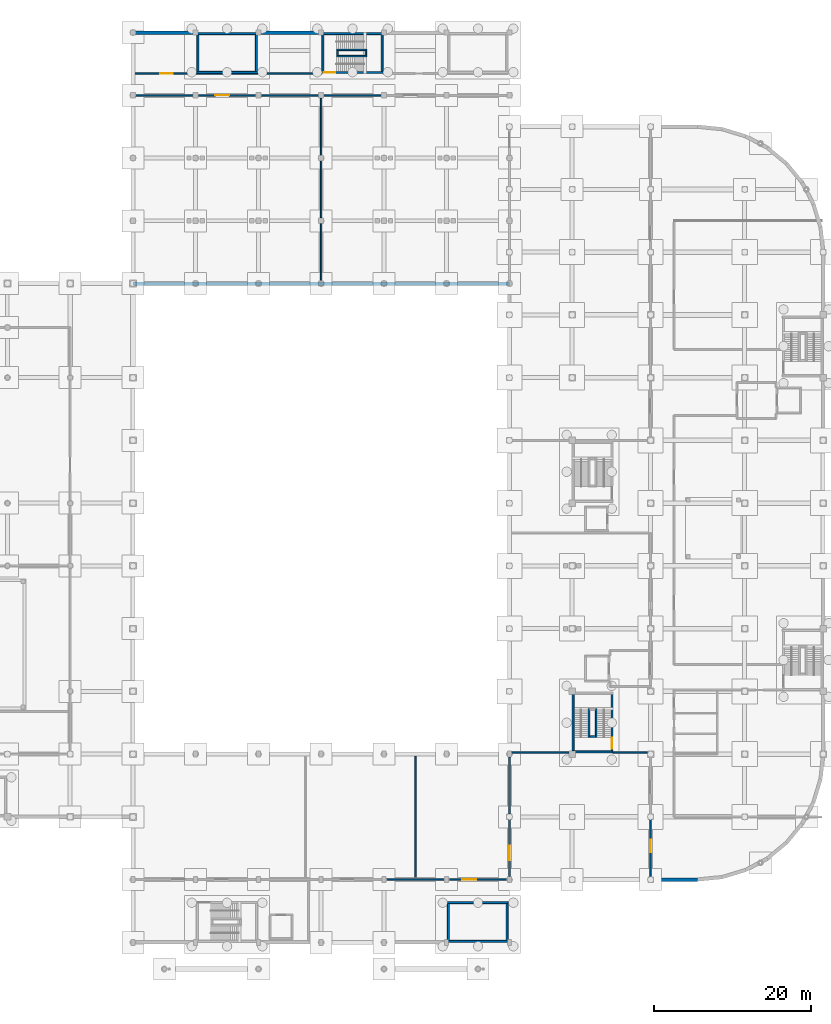
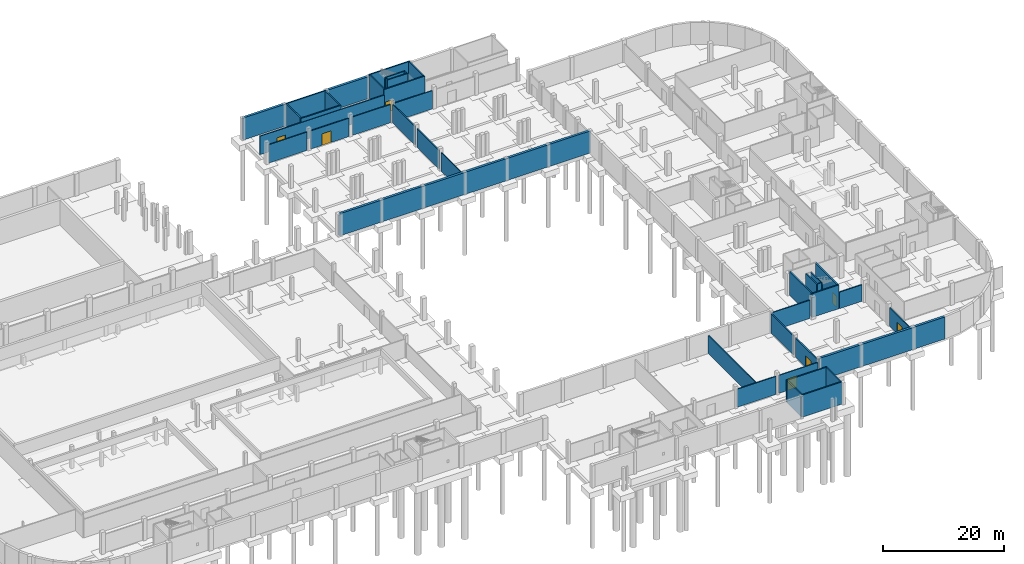
# One storey, part 24 of 29: 42 walls, 7 doors, 7 openings.
"""IFC4 building model written with IfcOpenShell, lengths in metres."""

import ifcopenshell
import ifcopenshell.guid

model = None  # the IFC model being written
_history = None  # IfcOwnerHistory: only IFC2X3 demands one
_inside = {}  # id of a spatial element -> (the spatial element, [elements in it])
_under = {}  # id of a project, library or spatial element -> (it, [spatial elements below it])
_declared = {}  # id of a project -> (the project, [libraries it declares])
_typed = {}  # id of a type object -> (the type object, [elements of that type])
_made_of = {}  # id of a material, layer set ... -> (it, [elements and type objects made of it])


def new_model(schema):
    """Start an empty IFC model of exactly this schema.

    Asked for "IFC4X3", IfcOpenShell would pick the latest addendum, in which some entities
    have other attributes; the version numbers below select the first issue.
    IFC2X3 requires an IfcOwnerHistory on every rooted entity: one is made here for all.
    """
    global model, _history
    if schema == "IFC4X3":
        model = ifcopenshell.file(schema_version=(4, 3, 0, 0))
    else:
        model = ifcopenshell.file(schema=schema)
    _inside.clear()
    _under.clear()
    _declared.clear()
    _typed.clear()
    _made_of.clear()
    _history = None
    if model.schema == "IFC2X3":
        org = make("IfcOrganization", Name="unknown")
        user = make(
            "IfcPersonAndOrganization",
            ThePerson=make("IfcPerson", FamilyName="unknown"),
            TheOrganization=org,
        )
        app = make(
            "IfcApplication",
            ApplicationDeveloper=org,
            Version="unknown",
            ApplicationFullName="unknown",
            ApplicationIdentifier="unknown",
        )
        _history = make(
            "IfcOwnerHistory",
            OwningUser=user,
            OwningApplication=app,
            ChangeAction="ADDED",
            CreationDate=0,
        )
    return model


def make(cls, **values):
    """One entity of the class cls with the attributes given. An attribute that is None is left unset."""
    return model.create_entity(
        cls, **{name: value for name, value in values.items() if value is not None}
    )


def rooted(cls, **values):
    """An entity with a GlobalId (a new one), such as an element, a storey or a relation."""
    return make(cls, GlobalId=ifcopenshell.guid.new(), OwnerHistory=_history, **values)


def si_unit(unit_type, name, prefix=None):
    """IfcSIUnit, for example si_unit("LENGTHUNIT", "METRE", prefix="MILLI")."""
    return make("IfcSIUnit", UnitType=unit_type, Prefix=prefix, Name=name)


def assignment(units):
    """IfcUnitAssignment: the units of a project."""
    return None if units is None else make("IfcUnitAssignment", Units=units)


def point(xyz):
    """IfcCartesianPoint."""
    return None if xyz is None else make("IfcCartesianPoint", Coordinates=xyz)


def direction(xyz):
    """IfcDirection."""
    return None if xyz is None else make("IfcDirection", DirectionRatios=xyz)


def frame(location, z_axis=None, x_axis=None):
    """IfcAxis2Placement3D, a coordinate frame: its origin and axes. An axis left out is left unset."""
    return make(
        "IfcAxis2Placement3D",
        Location=point(location),
        Axis=direction(z_axis),
        RefDirection=direction(x_axis),
    )


def frame_2d(location, x_axis=None):
    """IfcAxis2Placement2D, a coordinate frame in the plane: its origin and x axis."""
    return make(
        "IfcAxis2Placement2D", Location=point(location), RefDirection=direction(x_axis)
    )


def origin():
    """The frame at (0, 0, 0) with its axes left unset."""
    return frame((0.0, 0.0, 0.0))


def place(relative_to, where):
    """IfcLocalPlacement: puts the frame where relative to a parent placement (None: the world)."""
    return make(
        "IfcLocalPlacement", PlacementRelTo=relative_to, RelativePlacement=where
    )


def context(
    kind, dimensions, precision=None, world=None, true_north=None, identifier=None
):
    """IfcGeometricRepresentationContext, for example the 3D "Model" context."""
    return make(
        "IfcGeometricRepresentationContext",
        ContextIdentifier=identifier,
        ContextType=kind,
        CoordinateSpaceDimension=dimensions,
        Precision=precision,
        WorldCoordinateSystem=world,
        TrueNorth=true_north,
    )


def subcontext(parent, identifier, kind, view, scale=None):
    """IfcGeometricRepresentationSubContext, for example "Body" below "Model"."""
    return make(
        "IfcGeometricRepresentationSubContext",
        ContextIdentifier=identifier,
        ContextType=kind,
        ParentContext=parent,
        TargetScale=scale,
        TargetView=view,
    )


def project(units=None, contexts=None):
    """IfcProject with its units and contexts."""
    return rooted(
        "IfcProject",
        Name="project",
        RepresentationContexts=contexts,
        UnitsInContext=assignment(units),
    )


def spatial(cls, under=None, at=None, **own):
    """A site, building, storey or space (cls), placed at a placement, below another one or the project."""
    s = rooted(cls, ObjectPlacement=at, **own)
    if under is not None:
        _under.setdefault(under.id(), (under, []))[1].append(s)
    return s


def profile(cls, at=None, kind="AREA", **sizes):
    """A parametric profile (cls). Its sizes go by their IFC names, for example OverallWidth=200.0."""
    return make(cls, ProfileType=kind, Position=at, **sizes)


def rectangle(**sizes):
    """IfcRectangleProfileDef."""
    return profile("IfcRectangleProfileDef", **sizes)


def extrude(swept, where, along, depth):
    """IfcExtrudedAreaSolid: the profile swept, set in the frame where, extruded along a direction by depth."""
    return make(
        "IfcExtrudedAreaSolid",
        SweptArea=swept,
        Position=where,
        ExtrudedDirection=direction(along),
        Depth=depth,
    )


def shape(context_of_items, identifier, shape_type, items):
    """IfcShapeRepresentation: the items that make up one representation, for example the "Body"."""
    return make(
        "IfcShapeRepresentation",
        ContextOfItems=context_of_items,
        RepresentationIdentifier=identifier,
        RepresentationType=shape_type,
        Items=items,
    )


def material(Name=None, Category=None):
    """IfcMaterial."""
    return make("IfcMaterial", Name=Name, Category=Category)


def layer(
    of_material, thickness, ventilated=None, Name=None, Category=None, Priority=None
):
    """IfcMaterialLayer: one layer of a wall or slab, of a material (None: an air gap)."""
    return make(
        "IfcMaterialLayer",
        Material=of_material,
        LayerThickness=thickness,
        IsVentilated=ventilated,
        Name=Name,
        Category=Category,
        Priority=Priority,
    )


def layer_set(layers, Name=None):
    """IfcMaterialLayerSet."""
    return make("IfcMaterialLayerSet", MaterialLayers=layers, LayerSetName=Name)


def made_of(thing, what):
    """Note that an element or type object is made of a material, layer set ...; save() writes the relation."""
    if what is not None:
        _made_of.setdefault(what.id(), (what, []))[1].append(thing)
    return thing


def type_object(cls, material=None, **own):
    """A type object (cls), such as IfcWallType, which elements share."""
    return made_of(rooted(cls, **own), material)


def element(
    cls,
    number,
    at=None,
    inside=None,
    cuts=None,
    type_object=None,
    material=None,
    context=None,
    identifier="Body",
    shape_type=None,
    held_by="IfcProductDefinitionShape",
    body=None,
    shapes=None,
    **own,
):
    """One element of the class cls, such as IfcWall. Its Tag is "e" and its number.

    at: its placement. inside: the storey or other place that contains it. cuts: it is an
    opening in that element (IfcRelVoidsElement). A single representation is given by context,
    identifier, shape_type and body (its items); several are given by shapes. held_by: the class
    of the entity that holds the representations. save() writes the other relations.
    """
    e = rooted(cls, Tag="e%d" % number, ObjectPlacement=at, **own)
    if body is not None:
        shapes = [shape(context, identifier, shape_type, body)]
    if shapes is not None:
        e.Representation = make(held_by, Representations=shapes)
    if inside is not None:
        _inside.setdefault(inside.id(), (inside, []))[1].append(e)
    if cuts is not None:
        rooted(
            "IfcRelVoidsElement", RelatingBuildingElement=cuts, RelatedOpeningElement=e
        )
    if type_object is not None:
        _typed.setdefault(type_object.id(), (type_object, []))[1].append(e)
    return made_of(e, material)


def fill(opening, filler):
    """IfcRelFillsElement: the door or window that sits in an opening."""
    return rooted(
        "IfcRelFillsElement",
        RelatingOpeningElement=opening,
        RelatedBuildingElement=filler,
    )


def aggregate(whole, parts):
    """IfcRelAggregates: a whole, such as a stair, and the parts it consists of."""
    return rooted("IfcRelAggregates", RelatingObject=whole, RelatedObjects=parts)


def save(model, path):
    """Write the relations noted so far, then the file.

    IfcRelAggregates (storeys below a building ...), IfcRelContainedInSpatialStructure (elements
    in a storey), IfcRelDefinesByType, IfcRelAssociatesMaterial and IfcRelDeclares: one each for
    every whole, place, type object, material and project.
    """
    for whole, parts in _under.values():
        aggregate(whole, parts)
    for where, things in _inside.values():
        rooted(
            "IfcRelContainedInSpatialStructure",
            RelatedElements=things,
            RelatingStructure=where,
        )
    for kind, things in _typed.values():
        rooted("IfcRelDefinesByType", RelatedObjects=things, RelatingType=kind)
    for what, things in _made_of.values():
        rooted("IfcRelAssociatesMaterial", RelatedObjects=things, RelatingMaterial=what)
    for by, libraries in _declared.values():
        rooted("IfcRelDeclares", RelatingContext=by, RelatedDefinitions=libraries)
    model.write(path)


model = new_model("IFC4")

# Units and contexts
model_context = context("Model", 3, precision=1e-05, world=origin(), true_north=direction((0.0, 1.0)))
body_context = subcontext(model_context, "Body", "Model", "MODEL_VIEW")
ifc_project = project(units=[si_unit("LENGTHUNIT", "METRE"), si_unit("AREAUNIT", "SQUARE_METRE"), si_unit("VOLUMEUNIT", "CUBIC_METRE"), si_unit("PLANEANGLEUNIT", "RADIAN"), si_unit("MASSUNIT", "GRAM", prefix="KILO")], contexts=[model_context])

# Site, building, storey
site_placement = place(None, origin())
site = spatial("IfcSite", under=ifc_project, at=site_placement, CompositionType="ELEMENT")
building_placement = place(site_placement, origin())
building = spatial("IfcBuilding", under=site, at=building_placement, Name="Drelvana Railside Aquatics Centre", CompositionType="ELEMENT")
storey_placement = place(building_placement, frame((0.0, 0.0, -4.800048828125)))
storey = spatial("IfcBuildingStorey", under=building, at=storey_placement, Name="B1", CompositionType="ELEMENT", Elevation=-4.800048828125)

# Wall
ifc_material_1 = material(Name="Concrete blockwork compartment wall", Category="masonry")
ifc_layer_1 = layer(ifc_material_1, 0.18505859375, Name="Concrete blockwork compartment wall")
ifc_layer_set_1 = layer_set([ifc_layer_1], Name="Concrete blockwork compartment wall")
wall_type_1 = type_object("IfcWallType", Name="WL-COMP-185", PredefinedType="STANDARD", material=ifc_layer_set_1)
wall_1_placement = place(storey_placement, frame((128.251953125, 8.0, 0.0), z_axis=(0.0, 0.0, 1.0), x_axis=(1.0, 0.0, 0.0)))
element("IfcWall", 1, at=wall_1_placement, inside=storey, type_object=wall_type_1, Name="B1 Electrical plant S corridor wall", PredefinedType="STANDARD", context=body_context, shape_type="SweptSolid", body=[
    extrude(rectangle(XDim=7.49609375, YDim=0.18505859375, at=frame_2d((3.748046875, 0.0))), origin(), (0.0, 0.0, 1.0), 3.650146484375),
])

# Wall, opening, door
wall_2_placement = place(storey_placement, frame((136.251953125, 8.0, 0.0), z_axis=(0.0, 0.0, 1.0), x_axis=(1.0, 0.0, 0.0)))
wall_2 = element("IfcWall", 2, at=wall_2_placement, inside=storey, type_object=wall_type_1, Name="B1 Electrical plant S corridor wall", PredefinedType="STANDARD", context=body_context, shape_type="SweptSolid", body=[
    extrude(rectangle(XDim=7.49609375, YDim=0.18505859375, at=frame_2d((3.748046875, 0.0))), origin(), (0.0, 0.0, 1.0), 3.650146484375),
])
opening_1_placement = place(wall_2_placement, frame((1.748046875, 0.0, 0.0)))
opening_1 = element("IfcOpeningElement", 3, at=opening_1_placement, cuts=wall_2, Name="Opening D-15-117", PredefinedType="OPENING", context=body_context, shape_type="SweptSolid", body=[
    extrude(rectangle(XDim=1.75, YDim=2.35009765625, at=frame_2d((0.875, 1.175048828125))), frame((0.0, 0.1025390625, 0.0), z_axis=(0.0, -1.0, 0.0), x_axis=(1.0, 0.0, 0.0)), (0.0, 0.0, 1.0), 0.205078125),
])
ifc_material_2 = material(Name="Heavy plant hall double door", Category="wood")
door_type_1 = type_object("IfcDoorType", Name="DR-INT-PLANT-1750x2350", OperationType="DOUBLE_DOOR_SINGLE_SWING", PredefinedType="DOOR", material=ifc_material_2)
door_1_placement = place(opening_1_placement, origin())
door_1 = element("IfcDoor", 4, at=door_1_placement, inside=storey, type_object=door_type_1, Name="Standby generator hall door D-15-117", OperationType="DOUBLE_DOOR_SINGLE_SWING", OverallHeight=2.35009765625, OverallWidth=1.75, PredefinedType="DOOR", context=body_context, shape_type="SweptSolid", body=[
    extrude(rectangle(XDim=1.75, YDim=2.35009765625, at=frame_2d((0.875, 1.175048828125))), frame((0.0, 0.02490234375, 0.0), z_axis=(0.0, -1.0, 0.0), x_axis=(1.0, 0.0, 0.0)), (0.0, 0.0, 1.0), 0.050048828125),
])
fill(opening_1, door_1)

# Walls
wall_3_placement = place(storey_placement, frame((132.0, 8.0, 0.0), z_axis=(0.0, 0.0, 1.0), x_axis=(0.0, 1.0, 0.0)))
element("IfcWall", 5, at=wall_3_placement, inside=storey, type_object=wall_type_1, Name="B1 Transformer-Generator divider", PredefinedType="STANDARD", context=body_context, shape_type="SweptSolid", body=[
    extrude(rectangle(XDim=15.780029296875, YDim=0.18505859375, at=frame_2d((7.89013671875, 0.0))), origin(), (0.0, 0.0, 1.0), 3.650146484375),
])
wall_4_placement = place(storey_placement, frame((96.326904296875, 108.0, 0.0), z_axis=(0.0, 0.0, 1.0), x_axis=(1.0, 0.0, 0.0)))
element("IfcWall", 6, at=wall_4_placement, inside=storey, type_object=wall_type_1, Name="B1 North plant corridor S wall", PredefinedType="STANDARD", context=body_context, shape_type="SweptSolid", body=[
    extrude(rectangle(XDim=7.34619140625, YDim=0.18505859375, at=frame_2d((3.673095703125, 0.0))), origin(), (0.0, 0.0, 1.0), 3.699951171875),
])

# Wall, opening, door
wall_5_placement = place(storey_placement, frame((104.326904296875, 108.0, 0.0), z_axis=(0.0, 0.0, 1.0), x_axis=(1.0, 0.0, 0.0)))
wall_5 = element("IfcWall", 7, at=wall_5_placement, inside=storey, type_object=wall_type_1, Name="B1 North plant corridor S wall", PredefinedType="STANDARD", context=body_context, shape_type="SweptSolid", body=[
    extrude(rectangle(XDim=7.34619140625, YDim=0.18505859375, at=frame_2d((3.673095703125, 0.0))), origin(), (0.0, 0.0, 1.0), 3.699951171875),
])
opening_2_placement = place(wall_5_placement, frame((2.173095703125, 0.0, 0.0)))
opening_2 = element("IfcOpeningElement", 8, at=opening_2_placement, cuts=wall_5, Name="Opening D-15-118", PredefinedType="OPENING", context=body_context, shape_type="SweptSolid", body=[
    extrude(rectangle(XDim=1.75, YDim=2.35009765625, at=frame_2d((0.875, 1.175048828125))), frame((0.0, 0.1025390625, 0.0), z_axis=(0.0, -1.0, 0.0), x_axis=(1.0, 0.0, 0.0)), (0.0, 0.0, 1.0), 0.205078125),
])
door_2_placement = place(opening_2_placement, origin())
door_2 = element("IfcDoor", 9, at=door_2_placement, inside=storey, type_object=door_type_1, Name="Potable and fire tank hall door D-15-118", OperationType="DOUBLE_DOOR_SINGLE_SWING", OverallHeight=2.35009765625, OverallWidth=1.75, PredefinedType="DOOR", context=body_context, shape_type="SweptSolid", body=[
    extrude(rectangle(XDim=1.75, YDim=2.35009765625, at=frame_2d((0.875, 1.175048828125))), frame((0.0, 0.02490234375, 0.0), z_axis=(0.0, -1.0, 0.0), x_axis=(1.0, 0.0, 0.0)), (0.0, 0.0, 1.0), 0.050048828125),
])
fill(opening_2, door_2)

# Walls
for number, where, z_axis, x_axis, name in (
    (10, (112.326904296875, 108.0, 0.0), (0.0, 0.0, 1.0), (1.0, 0.0, 0.0), "B1 North plant corridor S wall"),
    (11, (120.326904296875, 108.0, 0.0), (0.0, 0.0, 1.0), (1.0, 0.0, 0.0), "B1 North plant corridor S wall"),
):
    element("IfcWall", number, at=place(storey_placement, frame(where, z_axis=z_axis, x_axis=x_axis)), inside=storey, type_object=wall_type_1, Name=name, PredefinedType="STANDARD", context=body_context, shape_type="SweptSolid", body=[
        extrude(rectangle(XDim=7.34619140625, YDim=0.18505859375, at=frame_2d((3.673095703125, 0.0))), origin(), (0.0, 0.0, 1.0), 3.699951171875),
    ])

# Wall, opening, door
wall_6_placement = place(storey_placement, frame((96.219970703125, 110.800048828125, 0.0), z_axis=(0.0, 0.0, 1.0), x_axis=(1.0, 0.0, 0.0)))
wall_6 = element("IfcWall", 12, at=wall_6_placement, inside=storey, type_object=wall_type_1, Name="B1 Workshop S corridor wall", PredefinedType="STANDARD", context=body_context, shape_type="SweptSolid", body=[
    extrude(rectangle(XDim=23.880126953125, YDim=0.18505859375, at=frame_2d((11.93994140625, 0.0))), origin(), (0.0, 0.0, 1.0), 3.75),
])
opening_3_placement = place(wall_6_placement, frame((3.280029296875, 0.0, 0.0)))
opening_3 = element("IfcOpeningElement", 13, at=opening_3_placement, cuts=wall_6, Name="Opening D-04-120", PredefinedType="OPENING", context=body_context, shape_type="SweptSolid", body=[
    extrude(rectangle(XDim=1.60009765625, YDim=2.300048828125, at=frame_2d((0.800048828125, 1.14990234375))), frame((0.0, 0.1025390625, 0.0), z_axis=(0.0, -1.0, 0.0), x_axis=(1.0, 0.0, 0.0)), (0.0, 0.0, 1.0), 0.205078125),
])
ifc_material_3 = material(Name="Acoustic fire-rated steel plant door", Category="steel")
door_type_2 = type_object("IfcDoorType", Name="DR-INT-PLANT-1600x2300", OperationType="DOUBLE_DOOR_SINGLE_SWING", PredefinedType="DOOR", material=ifc_material_3)
door_3_placement = place(opening_3_placement, origin())
door_3 = element("IfcDoor", 14, at=door_3_placement, inside=storey, type_object=door_type_2, Name="Maintenance workshop door D-04-120", OperationType="DOUBLE_DOOR_SINGLE_SWING", OverallHeight=2.300048828125, OverallWidth=1.60009765625, PredefinedType="DOOR", context=body_context, shape_type="SweptSolid", body=[
    extrude(rectangle(XDim=1.60009765625, YDim=2.300048828125, at=frame_2d((0.800048828125, 1.14990234375))), frame((0.0, 0.02490234375, 0.0), z_axis=(0.0, -1.0, 0.0), x_axis=(1.0, 0.0, 0.0)), (0.0, 0.0, 1.0), 0.050048828125),
])
fill(opening_3, door_3)

# Walls
for number, where, z_axis, x_axis, name in (
    (15, (120.0, 84.326904296875, 0.0), (0.0, 0.0, 1.0), (0.0, 1.0, 0.0), "B1 Tank-Greywater divider"),
    (16, (120.0, 92.326904296875, 0.0), (0.0, 0.0, 1.0), (0.0, 1.0, 0.0), "B1 Tank-Greywater divider"),
    (17, (120.0, 100.326904296875, 0.0), (0.0, 0.0, 1.0), (0.0, 1.0, 0.0), "B1 Tank-Greywater divider"),
):
    element("IfcWall", number, at=place(storey_placement, frame(where, z_axis=z_axis, x_axis=x_axis)), inside=storey, type_object=wall_type_1, Name=name, PredefinedType="STANDARD", context=body_context, shape_type="SweptSolid", body=[
        extrude(rectangle(XDim=7.34619140625, YDim=0.18505859375, at=frame_2d((3.673095703125, 0.0))), origin(), (0.0, 0.0, 1.0), 3.75),
    ])

# Wall, opening, door
wall_7_placement = place(storey_placement, frame((162.0, 8.35205078125, 0.0), z_axis=(0.0, 0.0, 1.0), x_axis=(0.0, 1.0, 0.0)))
wall_7 = element("IfcWall", 18, at=wall_7_placement, inside=storey, type_object=wall_type_1, Name="V5 B1 west corridor wall", PredefinedType="STANDARD", context=body_context, shape_type="SweptSolid", body=[
    extrude(rectangle(XDim=7.2958984375, YDim=0.18505859375, at=frame_2d((3.64794921875, 0.0))), origin(), (0.0, 0.0, 1.0), 3.75),
])
opening_4_placement = place(wall_7_placement, frame((3.14794921875, 0.0, 0.0)))
opening_4 = element("IfcOpeningElement", 19, at=opening_4_placement, cuts=wall_7, Name="Opening D-04-180", PredefinedType="OPENING", context=body_context, shape_type="SweptSolid", body=[
    extrude(rectangle(XDim=1.60009765625, YDim=2.300048828125, at=frame_2d((0.800048828125, 1.14990234375))), frame((0.0, 0.1025390625, 0.0), z_axis=(0.0, -1.0, 0.0), x_axis=(1.0, 0.0, 0.0)), (0.0, 0.0, 1.0), 0.205078125),
])
door_4_placement = place(opening_4_placement, origin())
door_4 = element("IfcDoor", 20, at=door_4_placement, inside=storey, type_object=door_type_2, Name="Chiller plant south door D-04-180", OperationType="DOUBLE_DOOR_SINGLE_SWING", OverallHeight=2.300048828125, OverallWidth=1.60009765625, PredefinedType="DOOR", context=body_context, shape_type="SweptSolid", body=[
    extrude(rectangle(XDim=1.60009765625, YDim=2.300048828125, at=frame_2d((0.800048828125, 1.14990234375))), frame((0.0, 0.02490234375, 0.0), z_axis=(0.0, -1.0, 0.0), x_axis=(1.0, 0.0, 0.0)), (0.0, 0.0, 1.0), 0.050048828125),
])
fill(opening_4, door_4)

# Walls
wall_8_placement = place(storey_placement, frame((144.251953125, 24.199951171875, 0.0), z_axis=(0.0, 0.0, 1.0), x_axis=(1.0, 0.0, 0.0)))
element("IfcWall", 21, at=wall_8_placement, inside=storey, type_object=wall_type_1, Name="V5 B1 C6 alcove SW wall", PredefinedType="STANDARD", context=body_context, shape_type="SweptSolid", body=[
    extrude(rectangle(XDim=7.321044921875, YDim=0.18505859375, at=frame_2d((3.66064453125, 0.0))), origin(), (0.0, 0.0, 1.0), 3.699951171875),
])
wall_9_placement = place(storey_placement, frame((157.205078125, 24.199951171875, 0.0), z_axis=(0.0, 0.0, 1.0), x_axis=(1.0, 0.0, 0.0)))
element("IfcWall", 22, at=wall_9_placement, inside=storey, type_object=wall_type_1, Name="V5 B1 C6 alcove SE wall", PredefinedType="STANDARD", context=body_context, shape_type="SweptSolid", body=[
    extrude(rectangle(XDim=4.367919921875, YDim=0.18505859375, at=frame_2d((2.18408203125, 0.0))), origin(), (0.0, 0.0, 1.0), 3.35009765625),
])

# Wall, opening, door
ifc_material_4 = material(Name="Autoclaved aerated concrete masonry", Category="masonry")
ifc_layer_2 = layer(ifc_material_4, 0.22509765625, Name="Autoclaved aerated concrete masonry")
ifc_layer_set_2 = layer_set([ifc_layer_2], Name="Autoclaved aerated concrete masonry")
wall_type_2 = type_object("IfcWallType", Name="WL-COMP-225", PredefinedType="STANDARD", material=ifc_layer_set_2)
wall_10_placement = place(storey_placement, frame((144.0, 8.376953125, 0.0), z_axis=(0.0, 0.0, 1.0), x_axis=(0.0, 1.0, 0.0)))
wall_10 = element("IfcWall", 23, at=wall_10_placement, inside=storey, type_object=wall_type_2, Name="B1 Foyer-Wing compartment wall", PredefinedType="STANDARD", context=body_context, shape_type="SweptSolid", body=[
    extrude(rectangle(XDim=7.27099609375, YDim=0.22509765625, at=frame_2d((3.635498046875, 0.0))), origin(), (0.0, 0.0, 1.0), 3.900146484375),
])
opening_5_placement = place(wall_10_placement, frame((2.123046875, 0.0, 0.0)))
opening_5 = element("IfcOpeningElement", 24, at=opening_5_placement, cuts=wall_10, Name="Opening D-05-102", PredefinedType="OPENING", context=body_context, shape_type="SweptSolid", body=[
    extrude(rectangle(XDim=1.800048828125, YDim=2.300048828125, at=frame_2d((0.89990234375, 1.14990234375))), frame((0.0, 0.12255859375, 0.0), z_axis=(0.0, -1.0, 0.0), x_axis=(1.0, 0.0, 0.0)), (0.0, 0.0, 1.0), 0.2451171875),
])
ifc_material_5 = material(Name="Corridor compartment double door", Category="wood")
door_type_3 = type_object("IfcDoorType", Name="DR-INT-COMP-1800x2300", OperationType="DOUBLE_DOOR_SINGLE_SWING", PredefinedType="DOOR", material=ifc_material_5)
door_5_placement = place(opening_5_placement, origin())
door_5 = element("IfcDoor", 25, at=door_5_placement, inside=storey, type_object=door_type_3, Name="B1 Foyer to Wing link door D-05-102", OperationType="DOUBLE_DOOR_SINGLE_SWING", OverallHeight=2.300048828125, OverallWidth=1.800048828125, PredefinedType="DOOR", context=body_context, shape_type="SweptSolid", body=[
    extrude(rectangle(XDim=1.800048828125, YDim=2.300048828125, at=frame_2d((0.89990234375, 1.14990234375))), frame((0.0, 0.02490234375, 0.0), z_axis=(0.0, -1.0, 0.0), x_axis=(1.0, 0.0, 0.0)), (0.0, 0.0, 1.0), 0.050048828125),
])
fill(opening_5, door_5)

# Wall
wall_11_placement = place(storey_placement, frame((144.0, 16.35205078125, 0.0), z_axis=(0.0, 0.0, 1.0), x_axis=(0.0, 1.0, 0.0)))
element("IfcWall", 26, at=wall_11_placement, inside=storey, type_object=wall_type_2, Name="B1 Foyer-Wing compartment wall", PredefinedType="STANDARD", context=body_context, shape_type="SweptSolid", body=[
    extrude(rectangle(XDim=7.27099609375, YDim=0.22509765625, at=frame_2d((3.635498046875, 0.0))), origin(), (0.0, 0.0, 1.0), 3.900146484375),
])

# Wall, opening, door
ifc_material_6 = material(Name="Concrete C40/50", Category="concrete")
ifc_layer_3 = layer(ifc_material_6, 0.25, Name="Concrete C40/50")
ifc_layer_set_3 = layer_set([ifc_layer_3], Name="Concrete C40/50")
wall_type_3 = type_object("IfcWallType", Name="WL-CORE-250", PredefinedType="SHEAR", material=ifc_layer_set_3)
wall_12_placement = place(storey_placement, frame((120.10009765625, 110.925048828125, 0.0), z_axis=(0.0, 0.0, 1.0), x_axis=(1.0, 0.0, 0.0)))
wall_12 = element("IfcWall", 27, at=wall_12_placement, inside=storey, type_object=wall_type_3, Name="Core 5 Changing Pavilion North S core wall (B1)", PredefinedType="SHEAR", context=body_context, shape_type="SweptSolid", body=[
    extrude(rectangle(XDim=7.7998046875, YDim=0.25, at=frame_2d((3.89990234375, 0.0))), origin(), (0.0, 0.0, 1.0), 4.800048828125),
])
opening_6_placement = place(wall_12_placement, frame((0.25, 0.0, 0.0)))
opening_6 = element("IfcOpeningElement", 28, at=opening_6_placement, cuts=wall_12, Name="Opening D-01-031", PredefinedType="OPENING", context=body_context, shape_type="SweptSolid", body=[
    extrude(rectangle(XDim=1.449951171875, YDim=2.199951171875, at=frame_2d((0.72509765625, 1.10009765625))), frame((0.0, 0.135009765625, 0.0), z_axis=(0.0, -1.0, 0.0), x_axis=(1.0, 0.0, 0.0)), (0.0, 0.0, 1.0), 0.27001953125),
])
ifc_material_7 = material(Name="Fire-rated steel and vision-panel door", Category="steel")
door_type_4 = type_object("IfcDoorType", Name="DR-INT-STAIR-1450x2200", OperationType="DOUBLE_DOOR_SINGLE_SWING", PredefinedType="DOOR", material=ifc_material_7)
door_6_placement = place(opening_6_placement, origin())
door_6 = element("IfcDoor", 29, at=door_6_placement, inside=storey, type_object=door_type_4, Name="Stair ST-05 lobby door D-01-031", OperationType="DOUBLE_DOOR_SINGLE_SWING", OverallHeight=2.199951171875, OverallWidth=1.449951171875, PredefinedType="DOOR", context=body_context, shape_type="SweptSolid", body=[
    extrude(rectangle(XDim=1.449951171875, YDim=2.199951171875, at=frame_2d((0.72509765625, 1.10009765625))), frame((0.0, 0.02490234375, 0.0), z_axis=(0.0, -1.0, 0.0), x_axis=(1.0, 0.0, 0.0)), (0.0, 0.0, 1.0), 0.050048828125),
])
fill(opening_6, door_6)

# Walls
wall_13_placement = place(storey_placement, frame((120.10009765625, 115.875, 0.0), z_axis=(0.0, 0.0, 1.0), x_axis=(1.0, 0.0, 0.0)))
element("IfcWall", 30, at=wall_13_placement, inside=storey, type_object=wall_type_3, Name="Core 5 Changing Pavilion North N core wall (B1)", PredefinedType="SHEAR", context=body_context, shape_type="SweptSolid", body=[
    extrude(rectangle(XDim=7.7998046875, YDim=0.25, at=frame_2d((3.89990234375, 0.0))), origin(), (0.0, 0.0, 1.0), 4.800048828125),
])
for number, where, z_axis, x_axis, name in (
    (31, (120.22509765625, 111.050048828125, 0.0), (0.0, 0.0, 1.0), (0.0, 1.0, 0.0), "Core 5 Changing Pavilion North W core wall (B1)"),
    (32, (127.77490234375, 111.050048828125, 0.0), (0.0, 0.0, 1.0), (0.0, 1.0, 0.0), "Core 5 Changing Pavilion North E core wall (B1)"),
):
    element("IfcWall", number, at=place(storey_placement, frame(where, z_axis=z_axis, x_axis=x_axis)), inside=storey, type_object=wall_type_3, Name=name, PredefinedType="SHEAR", context=body_context, shape_type="SweptSolid", body=[
        extrude(rectangle(XDim=4.699951171875, YDim=0.25, at=frame_2d((2.35009765625, 0.0))), origin(), (0.0, 0.0, 1.0), 4.800048828125),
    ])
wall_14_placement = place(storey_placement, frame((152.0, 24.284912109375, 0.0), z_axis=(0.0, 0.0, 1.0), x_axis=(1.0, 0.0, 0.0)))
element("IfcWall", 33, at=wall_14_placement, inside=storey, type_object=wall_type_3, Name="Core 6 Federation Wing Court-West S core wall (B1)", PredefinedType="SHEAR", context=body_context, shape_type="SweptSolid", body=[
    extrude(rectangle(XDim=5.199951171875, YDim=0.25, at=frame_2d((2.60009765625, 0.0))), origin(), (0.0, 0.0, 1.0), 4.800048828125),
])
wall_15_placement = place(storey_placement, frame((152.125, 24.409912109375, 0.0), z_axis=(0.0, 0.0, 1.0), x_axis=(0.0, 1.0, 0.0)))
element("IfcWall", 34, at=wall_15_placement, inside=storey, type_object=wall_type_3, Name="Core 6 Federation Wing Court-West W core wall (B1)", PredefinedType="SHEAR", context=body_context, shape_type="SweptSolid", body=[
    extrude(rectangle(XDim=7.239990234375, YDim=0.25, at=frame_2d((3.6201171875, 0.0))), origin(), (0.0, 0.0, 1.0), 4.800048828125),
])

# Wall, opening, door
wall_16_placement = place(storey_placement, frame((157.074951171875, 24.409912109375, 0.0), z_axis=(0.0, 0.0, 1.0), x_axis=(0.0, 1.0, 0.0)))
wall_16 = element("IfcWall", 35, at=wall_16_placement, inside=storey, type_object=wall_type_3, Name="Core 6 Federation Wing Court-West E core wall (B1)", PredefinedType="SHEAR", context=body_context, shape_type="SweptSolid", body=[
    extrude(rectangle(XDim=7.239990234375, YDim=0.25, at=frame_2d((3.6201171875, 0.0))), origin(), (0.0, 0.0, 1.0), 4.800048828125),
])
opening_7_placement = place(wall_16_placement, frame((0.25, 0.0, 0.0)))
opening_7 = element("IfcOpeningElement", 36, at=opening_7_placement, cuts=wall_16, Name="Opening D-01-035", PredefinedType="OPENING", context=body_context, shape_type="SweptSolid", body=[
    extrude(rectangle(XDim=1.449951171875, YDim=2.199951171875, at=frame_2d((0.72509765625, 1.10009765625))), frame((0.0, 0.135009765625, 0.0), z_axis=(0.0, -1.0, 0.0), x_axis=(1.0, 0.0, 0.0)), (0.0, 0.0, 1.0), 0.27001953125),
])
door_7_placement = place(opening_7_placement, origin())
door_7 = element("IfcDoor", 37, at=door_7_placement, inside=storey, type_object=door_type_4, Name="Stair ST-06 lobby door D-01-035", OperationType="DOUBLE_DOOR_SINGLE_SWING", OverallHeight=2.199951171875, OverallWidth=1.449951171875, PredefinedType="DOOR", context=body_context, shape_type="SweptSolid", body=[
    extrude(rectangle(XDim=1.449951171875, YDim=2.199951171875, at=frame_2d((0.72509765625, 1.10009765625))), frame((0.0, 0.02490234375, 0.0), z_axis=(0.0, -1.0, 0.0), x_axis=(1.0, 0.0, 0.0)), (0.0, 0.0, 1.0), 0.050048828125),
])
fill(opening_7, door_7)

# Walls
for number, where, z_axis, x_axis, name in (
    (38, (136.10009765625, 0.125, 0.0), (0.0, 0.0, 1.0), (1.0, 0.0, 0.0), "Core 10 Entrance Foyer East S core wall (B1)"),
    (39, (136.10009765625, 5.074951171875, 0.0), (0.0, 0.0, 1.0), (1.0, 0.0, 0.0), "Core 10 Entrance Foyer East N core wall (B1)"),
):
    element("IfcWall", number, at=place(storey_placement, frame(where, z_axis=z_axis, x_axis=x_axis)), inside=storey, type_object=wall_type_3, Name=name, PredefinedType="SHEAR", context=body_context, shape_type="SweptSolid", body=[
        extrude(rectangle(XDim=7.739990234375, YDim=0.25, at=frame_2d((3.8701171875, 0.0))), origin(), (0.0, 0.0, 1.0), 4.5),
    ])
for number, where, z_axis, x_axis, name in (
    (40, (136.22509765625, 0.25, 0.0), (0.0, 0.0, 1.0), (0.0, 1.0, 0.0), "Core 10 Entrance Foyer East W core wall (B1)"),
    (41, (143.715087890625, 0.25, 0.0), (0.0, 0.0, 1.0), (0.0, 1.0, 0.0), "Core 10 Entrance Foyer East E core wall (B1)"),
):
    element("IfcWall", number, at=place(storey_placement, frame(where, z_axis=z_axis, x_axis=x_axis)), inside=storey, type_object=wall_type_3, Name=name, PredefinedType="SHEAR", context=body_context, shape_type="SweptSolid", body=[
        extrude(rectangle(XDim=4.699951171875, YDim=0.25, at=frame_2d((2.35009765625, 0.0))), origin(), (0.0, 0.0, 1.0), 4.5),
    ])
for number, where, z_axis, x_axis, name in (
    (42, (104.14990234375, 110.925048828125, 0.0), (0.0, 0.0, 1.0), (1.0, 0.0, 0.0), "Core 11 Changing Pavilion North-West S core wall (B1)"),
    (43, (104.14990234375, 115.875, 0.0), (0.0, 0.0, 1.0), (1.0, 0.0, 0.0), "Core 11 Changing Pavilion North-West N core wall (B1)"),
):
    element("IfcWall", number, at=place(storey_placement, frame(where, z_axis=z_axis, x_axis=x_axis)), inside=storey, type_object=wall_type_3, Name=name, PredefinedType="SHEAR", context=body_context, shape_type="SweptSolid", body=[
        extrude(rectangle(XDim=7.7001953125, YDim=0.25, at=frame_2d((3.85009765625, 0.0))), origin(), (0.0, 0.0, 1.0), 4.5),
    ])
for number, where, z_axis, x_axis, name in (
    (44, (104.27490234375, 111.050048828125, 0.0), (0.0, 0.0, 1.0), (0.0, 1.0, 0.0), "Core 11 Changing Pavilion North-West W core wall (B1)"),
    (45, (111.72509765625, 111.050048828125, 0.0), (0.0, 0.0, 1.0), (0.0, 1.0, 0.0), "Core 11 Changing Pavilion North-West E core wall (B1)"),
):
    element("IfcWall", number, at=place(storey_placement, frame(where, z_axis=z_axis, x_axis=x_axis)), inside=storey, type_object=wall_type_3, Name=name, PredefinedType="SHEAR", context=body_context, shape_type="SweptSolid", body=[
        extrude(rectangle(XDim=4.699951171875, YDim=0.25, at=frame_2d((2.35009765625, 0.0))), origin(), (0.0, 0.0, 1.0), 4.5),
    ])
ifc_material_8 = material(Name="Waterproof concrete C40/50", Category="concrete")
ifc_layer_4 = layer(ifc_material_8, 0.449951171875, Name="Waterproof concrete C40/50")
ifc_layer_set_4 = layer_set([ifc_layer_4], Name="Waterproof concrete C40/50")
wall_type_4 = type_object("IfcWallType", Name="WL-RET-450", PredefinedType="SOLIDWALL", material=ifc_layer_set_4)
wall_17_placement = place(storey_placement, frame((96.0, 116.0, 0.0), z_axis=(0.0, 0.0, 1.0), x_axis=(1.0, 0.0, 0.0)))
element("IfcWall", 46, at=wall_17_placement, inside=storey, type_object=wall_type_4, Name="Basement retaining wall V4-N-1", PredefinedType="SOLIDWALL", context=body_context, shape_type="SweptSolid", body=[
    extrude(rectangle(XDim=8.14794921875, YDim=0.449951171875, at=frame_2d((4.073974609375, 0.0))), origin(), (0.0, 0.0, 1.0), 4.469970703125),
])
wall_18_placement = place(storey_placement, frame((111.85205078125, 116.0, 0.0), z_axis=(0.0, 0.0, 1.0), x_axis=(1.0, 0.0, 0.0)))
element("IfcWall", 47, at=wall_18_placement, inside=storey, type_object=wall_type_4, Name="Basement retaining wall V4-N-2", PredefinedType="SOLIDWALL", context=body_context, shape_type="SweptSolid", body=[
    extrude(rectangle(XDim=8.245849609375, YDim=0.449951171875, at=frame_2d((4.123046875, 0.0))), origin(), (0.0, 0.0, 1.0), 4.469970703125),
])
wall_19_placement = place(storey_placement, frame((96.0, 84.0, 0.0), z_axis=(0.0, 0.0, 1.0), x_axis=(1.0, 0.0, 0.0)))
element("IfcWall", 48, at=wall_19_placement, inside=storey, type_object=wall_type_4, Name="Basement retaining wall V4-S", PredefinedType="SOLIDWALL", context=body_context, shape_type="SweptSolid", body=[
    extrude(rectangle(XDim=48.0, YDim=0.449951171875, at=frame_2d((24.0, 0.0))), origin(), (0.0, 0.0, 1.0), 4.469970703125),
])
wall_20_placement = place(storey_placement, frame((144.0, 8.0, 0.0), z_axis=(0.0, 0.0, 1.0), x_axis=(1.0, 0.0, 0.0)))
element("IfcWall", 49, at=wall_20_placement, inside=storey, type_object=wall_type_4, Name="Basement retaining wall V5-S", PredefinedType="SOLIDWALL", context=body_context, shape_type="SweptSolid", body=[
    extrude(rectangle(XDim=24.0, YDim=0.449951171875, at=frame_2d((12.0, 0.0))), origin(), (0.0, 0.0, 1.0), 4.469970703125),
])
ifc_layer_5 = layer(ifc_material_6, 0.199951171875, Name="Concrete C40/50")
ifc_layer_set_5 = layer_set([ifc_layer_5], Name="Concrete C40/50")
wall_type_5 = type_object("IfcWallType", Name="WL-SHFT-200", PredefinedType="SHEAR", material=ifc_layer_set_5)
for number, where, z_axis, x_axis, name in (
    (50, (121.969970703125, 113.0, 0.0), (0.0, 0.0, 1.0), (1.0, 0.0, 0.0), "Stair ST-05 central spine wall A (B1)"),
    (51, (121.969970703125, 113.800048828125, 0.0), (0.0, 0.0, 1.0), (1.0, 0.0, 0.0), "Stair ST-05 central spine wall B (B1)"),
):
    element("IfcWall", number, at=place(storey_placement, frame(where, z_axis=z_axis, x_axis=x_axis)), inside=storey, type_object=wall_type_5, Name=name, PredefinedType="SHEAR", context=body_context, shape_type="SweptSolid", body=[
        extrude(rectangle(XDim=3.820068359375, YDim=0.199951171875, at=frame_2d((1.91015625, 0.0))), origin(), (0.0, 0.0, 1.0), 4.800048828125),
    ])
for number, where, z_axis, x_axis, name in (
    (52, (122.070068359375, 113.10009765625, 0.0), (0.0, 0.0, 1.0), (0.0, 1.0, 0.0), "Stair ST-05 central spine wall W (B1)"),
    (53, (125.68994140625, 113.10009765625, 0.0), (0.0, 0.0, 1.0), (0.0, 1.0, 0.0), "Stair ST-05 central spine wall E (B1)"),
):
    element("IfcWall", number, at=place(storey_placement, frame(where, z_axis=z_axis, x_axis=x_axis)), inside=storey, type_object=wall_type_5, Name=name, PredefinedType="SHEAR", context=body_context, shape_type="SweptSolid", body=[
        extrude(rectangle(XDim=0.599853515625, YDim=0.199951171875, at=frame_2d((0.2998046875, 0.0))), origin(), (0.0, 0.0, 1.0), 4.800048828125),
    ])
for number, where, z_axis, x_axis, name in (
    (54, (154.14990234375, 26.14990234375, 0.0), (0.0, 0.0, 1.0), (0.0, 1.0, 0.0), "Stair ST-06 central spine wall A (B1)"),
    (55, (155.050048828125, 26.14990234375, 0.0), (0.0, 0.0, 1.0), (0.0, 1.0, 0.0), "Stair ST-06 central spine wall B (B1)"),
):
    element("IfcWall", number, at=place(storey_placement, frame(where, z_axis=z_axis, x_axis=x_axis)), inside=storey, type_object=wall_type_5, Name=name, PredefinedType="SHEAR", context=body_context, shape_type="SweptSolid", body=[
        extrude(rectangle(XDim=3.66015625, YDim=0.199951171875, at=frame_2d((1.830078125, 0.0))), origin(), (0.0, 0.0, 1.0), 4.800048828125),
    ])
wall_21_placement = place(storey_placement, frame((154.25, 26.25, 0.0), z_axis=(0.0, 0.0, 1.0), x_axis=(1.0, 0.0, 0.0)))
element("IfcWall", 56, at=wall_21_placement, inside=storey, type_object=wall_type_5, Name="Stair ST-06 central spine wall S (B1)", PredefinedType="SHEAR", context=body_context, shape_type="SweptSolid", body=[
    extrude(rectangle(XDim=0.699951171875, YDim=0.199951171875, at=frame_2d((0.35009765625, 0.0))), origin(), (0.0, 0.0, 1.0), 4.800048828125),
])

save(model, "model.ifc")
